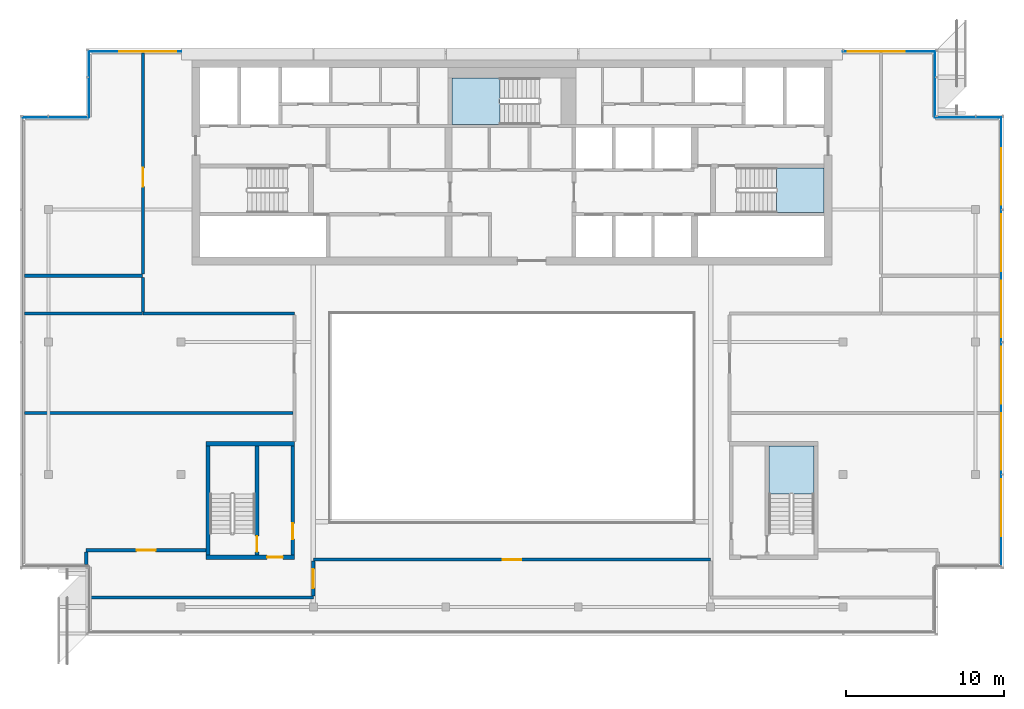
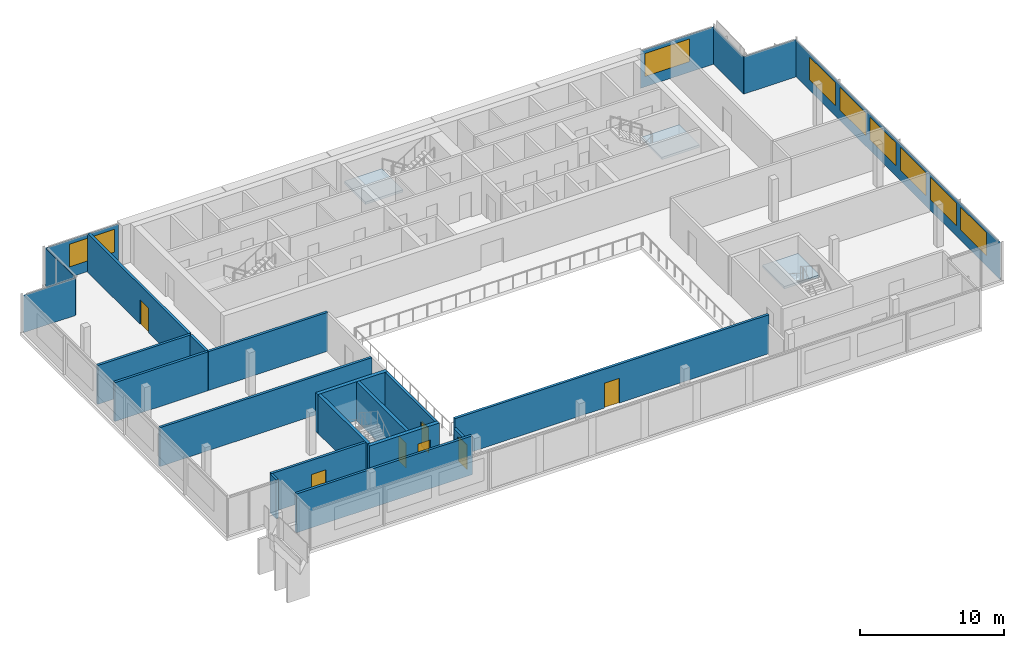
# One storey, part 11 of 19: 16 walls, 8 windows, 7 doors, 7 plates, 3 slabs, 15 openings, 9 elements without a shape of their own.
"""IFC4 building model written with IfcOpenShell, lengths in metres."""

from ifc_helpers import new_model, si_unit, direction, frame, frame_2d, origin, place, context, subcontext, project, spatial, polyline, rectangle, outline, extrude, material, layer, layer_set, type_object, element, fill, aggregate, save


model = new_model("IFC4")

# Units and contexts
model_context = context("Model", 3, precision=1e-05, world=origin(), true_north=direction((0.0, 1.0)))
body_context = subcontext(model_context, "Body", "Model", "MODEL_VIEW")
ifc_project = project(units=[si_unit("LENGTHUNIT", "METRE"), si_unit("AREAUNIT", "SQUARE_METRE"), si_unit("VOLUMEUNIT", "CUBIC_METRE"), si_unit("PLANEANGLEUNIT", "RADIAN"), si_unit("MASSUNIT", "GRAM", prefix="KILO")], contexts=[model_context])

# Site, building, storey
site_placement = place(None, origin())
site = spatial("IfcSite", under=ifc_project, at=site_placement, CompositionType="ELEMENT")
building_placement = place(site_placement, origin())
building = spatial("IfcBuilding", under=site, at=building_placement, Name="Saffron Gate Tower", CompositionType="ELEMENT")
storey_placement = place(building_placement, frame((0.0, 0.0, 306.75)))
storey = spatial("IfcBuildingStorey", under=building, at=storey_placement, Name="L75", CompositionType="ELEMENT", Elevation=306.75)

# Curtain wall, plate, openings, windows
ifc_material_1 = material(Name="Aluminium, bronze anodised", Category="aluminium")
curtain_wall_type_1 = type_object("IfcCurtainWallType", Name="CWS2 curtain wall side facades", PredefinedType="NOTDEFINED", material=ifc_material_1)
curtain_wall_1_placement = place(storey_placement, origin())
curtain_wall_1 = element("IfcCurtainWall", 1, at=curtain_wall_1_placement, inside=storey, type_object=curtain_wall_type_1, Name="CWS2 run 4", PredefinedType="NOTDEFINED")
ifc_material_2 = material(Name="Fritted bronze-tinted laminated glass", Category="glass")
ifc_layer_1 = layer(ifc_material_2, 0.028076171875)
ifc_layer_set_1 = layer_set([ifc_layer_1], Name="CWS2 fixed glass")
plate_type_1 = type_object("IfcPlateType", Name="CWS2 fixed glass", PredefinedType="CURTAIN_PANEL", material=ifc_layer_set_1)
plate_1_placement = place(storey_placement, frame((118.6259765625, 42.7880859375, 0.0), z_axis=(0.0, 0.0, 1.0), x_axis=(0.0, 1.0, 0.0)))
plate_1 = element("IfcPlate", 2, at=plate_1_placement, type_object=plate_type_1, Name="CWS2 glass panel", PredefinedType="CURTAIN_PANEL", context=body_context, shape_type="SweptSolid", body=[
    extrude(rectangle(XDim=28.423828125, YDim=0.028076171875, at=frame_2d((14.2119140625, 0.0))), origin(), (0.0, 0.0, 1.0), 3.179931640625),
])
opening_1_placement = place(plate_1_placement, frame((1.912109375, 0.0, 0.89990234375)))
opening_1 = element("IfcOpeningElement", 3, at=opening_1_placement, cuts=plate_1, Name="Opening W2", PredefinedType="OPENING", context=body_context, shape_type="SweptSolid", body=[
    extrude(rectangle(XDim=3.60009765625, YDim=1.929931640625, at=frame_2d((1.800048828125, 0.96484375))), frame((0.0, 0.02392578125, 0.0), z_axis=(0.0, -1.0, 0.0), x_axis=(1.0, 0.0, 0.0)), (0.0, 0.0, 1.0), 0.048095703125),
])
opening_2_placement = place(plate_1_placement, frame((6.112060546875, 0.0, 0.89990234375)))
opening_2 = element("IfcOpeningElement", 4, at=opening_2_placement, cuts=plate_1, Name="Opening W2", PredefinedType="OPENING", context=body_context, shape_type="SweptSolid", body=[
    extrude(rectangle(XDim=3.60009765625, YDim=1.929931640625, at=frame_2d((1.800048828125, 0.96484375))), frame((0.0, 0.02392578125, 0.0), z_axis=(0.0, -1.0, 0.0), x_axis=(1.0, 0.0, 0.0)), (0.0, 0.0, 1.0), 0.048095703125),
])
opening_3_placement = place(plate_1_placement, frame((10.31201171875, 0.0, 0.89990234375)))
opening_3 = element("IfcOpeningElement", 5, at=opening_3_placement, cuts=plate_1, Name="Opening W2", PredefinedType="OPENING", context=body_context, shape_type="SweptSolid", body=[
    extrude(rectangle(XDim=3.60009765625, YDim=1.929931640625, at=frame_2d((1.800048828125, 0.96484375))), frame((0.0, 0.02392578125, 0.0), z_axis=(0.0, -1.0, 0.0), x_axis=(1.0, 0.0, 0.0)), (0.0, 0.0, 1.0), 0.048095703125),
])
opening_4_placement = place(plate_1_placement, frame((14.511962890625, 0.0, 0.89990234375)))
opening_4 = element("IfcOpeningElement", 6, at=opening_4_placement, cuts=plate_1, Name="Opening W2", PredefinedType="OPENING", context=body_context, shape_type="SweptSolid", body=[
    extrude(rectangle(XDim=3.60009765625, YDim=1.929931640625, at=frame_2d((1.800048828125, 0.96484375))), frame((0.0, 0.02392578125, 0.0), z_axis=(0.0, -1.0, 0.0), x_axis=(1.0, 0.0, 0.0)), (0.0, 0.0, 1.0), 0.048095703125),
])
opening_5_placement = place(plate_1_placement, frame((18.7119140625, 0.0, 0.89990234375)))
opening_5 = element("IfcOpeningElement", 7, at=opening_5_placement, cuts=plate_1, Name="Opening W2", PredefinedType="OPENING", context=body_context, shape_type="SweptSolid", body=[
    extrude(rectangle(XDim=3.60009765625, YDim=1.929931640625, at=frame_2d((1.800048828125, 0.96484375))), frame((0.0, 0.02392578125, 0.0), z_axis=(0.0, -1.0, 0.0), x_axis=(1.0, 0.0, 0.0)), (0.0, 0.0, 1.0), 0.048095703125),
])
opening_6_placement = place(plate_1_placement, frame((22.912109375, 0.0, 0.89990234375)))
opening_6 = element("IfcOpeningElement", 8, at=opening_6_placement, cuts=plate_1, Name="Opening W2", PredefinedType="OPENING", context=body_context, shape_type="SweptSolid", body=[
    extrude(rectangle(XDim=3.60009765625, YDim=1.929931640625, at=frame_2d((1.800048828125, 0.96484375))), frame((0.0, 0.02392578125, 0.0), z_axis=(0.0, -1.0, 0.0), x_axis=(1.0, 0.0, 0.0)), (0.0, 0.0, 1.0), 0.048095703125),
])
ifc_material_3 = material(Name="Fritted bronze-tinted laminated glass in bronze frame", Category="glass")
ifc_layer_2 = layer(ifc_material_3, 0.06005859375)
ifc_layer_set_2 = layer_set([ifc_layer_2], Name="W2 operable panel 3600x1930")
window_type = type_object("IfcWindowType", Name="W2 operable panel 3600x1930", PartitioningType="DOUBLE_PANEL_HORIZONTAL", PredefinedType="WINDOW", material=ifc_layer_set_2)
window_1_placement = place(opening_1_placement, origin())
window_1 = element("IfcWindow", 9, at=window_1_placement, type_object=window_type, Name="W2 operable panel", OverallHeight=1.929931640625, OverallWidth=3.60009765625, PartitioningType="SINGLE_PANEL", PredefinedType="WINDOW", context=body_context, shape_type="SweptSolid", body=[
    extrude(rectangle(XDim=3.60009765625, YDim=1.929931640625, at=frame_2d((1.800048828125, 0.96484375))), frame((0.0, 0.013671875, 0.0), z_axis=(0.0, -1.0, 0.0), x_axis=(1.0, 0.0, 0.0)), (0.0, 0.0, 1.0), 0.027587890625),
])
fill(opening_1, window_1)
window_2_placement = place(opening_2_placement, origin())
window_2 = element("IfcWindow", 10, at=window_2_placement, type_object=window_type, Name="W2 operable panel", OverallHeight=1.929931640625, OverallWidth=3.60009765625, PartitioningType="SINGLE_PANEL", PredefinedType="WINDOW", context=body_context, shape_type="SweptSolid", body=[
    extrude(rectangle(XDim=3.60009765625, YDim=1.929931640625, at=frame_2d((1.800048828125, 0.96484375))), frame((0.0, 0.013671875, 0.0), z_axis=(0.0, -1.0, 0.0), x_axis=(1.0, 0.0, 0.0)), (0.0, 0.0, 1.0), 0.027587890625),
])
fill(opening_2, window_2)
window_3_placement = place(opening_3_placement, origin())
window_3 = element("IfcWindow", 11, at=window_3_placement, type_object=window_type, Name="W2 operable panel", OverallHeight=1.929931640625, OverallWidth=3.60009765625, PartitioningType="SINGLE_PANEL", PredefinedType="WINDOW", context=body_context, shape_type="SweptSolid", body=[
    extrude(rectangle(XDim=3.60009765625, YDim=1.929931640625, at=frame_2d((1.800048828125, 0.96484375))), frame((0.0, 0.013671875, 0.0), z_axis=(0.0, -1.0, 0.0), x_axis=(1.0, 0.0, 0.0)), (0.0, 0.0, 1.0), 0.027587890625),
])
fill(opening_3, window_3)
window_4_placement = place(opening_4_placement, origin())
window_4 = element("IfcWindow", 12, at=window_4_placement, type_object=window_type, Name="W2 operable panel", OverallHeight=1.929931640625, OverallWidth=3.60009765625, PartitioningType="SINGLE_PANEL", PredefinedType="WINDOW", context=body_context, shape_type="SweptSolid", body=[
    extrude(rectangle(XDim=3.60009765625, YDim=1.929931640625, at=frame_2d((1.800048828125, 0.96484375))), frame((0.0, 0.013671875, 0.0), z_axis=(0.0, -1.0, 0.0), x_axis=(1.0, 0.0, 0.0)), (0.0, 0.0, 1.0), 0.027587890625),
])
fill(opening_4, window_4)
window_5_placement = place(opening_5_placement, origin())
window_5 = element("IfcWindow", 13, at=window_5_placement, type_object=window_type, Name="W2 operable panel", OverallHeight=1.929931640625, OverallWidth=3.60009765625, PartitioningType="SINGLE_PANEL", PredefinedType="WINDOW", context=body_context, shape_type="SweptSolid", body=[
    extrude(rectangle(XDim=3.60009765625, YDim=1.929931640625, at=frame_2d((1.800048828125, 0.96484375))), frame((0.0, 0.013671875, 0.0), z_axis=(0.0, -1.0, 0.0), x_axis=(1.0, 0.0, 0.0)), (0.0, 0.0, 1.0), 0.027587890625),
])
fill(opening_5, window_5)
window_6_placement = place(opening_6_placement, origin())
window_6 = element("IfcWindow", 14, at=window_6_placement, type_object=window_type, Name="W2 operable panel", OverallHeight=1.929931640625, OverallWidth=3.60009765625, PartitioningType="SINGLE_PANEL", PredefinedType="WINDOW", context=body_context, shape_type="SweptSolid", body=[
    extrude(rectangle(XDim=3.60009765625, YDim=1.929931640625, at=frame_2d((1.800048828125, 0.96484375))), frame((0.0, 0.013671875, 0.0), z_axis=(0.0, -1.0, 0.0), x_axis=(1.0, 0.0, 0.0)), (0.0, 0.0, 1.0), 0.027587890625),
])
fill(opening_6, window_6)
aggregate(curtain_wall_1, [plate_1, window_1, window_2, window_3, window_4, window_5, window_6])

# Curtain wall, plates, openings, windows
curtain_wall_type_2 = type_object("IfcCurtainWallType", Name="CWS3 curtain wall rear facade", PredefinedType="NOTDEFINED", material=ifc_material_1)
curtain_wall_2_placement = place(storey_placement, origin())
curtain_wall_2 = element("IfcCurtainWall", 15, at=curtain_wall_2_placement, inside=storey, type_object=curtain_wall_type_2, Name="CWS3 run 7", PredefinedType="NOTDEFINED")
ifc_material_4 = material(Name="Fritted grey-tinted laminated glass", Category="glass")
ifc_layer_3 = layer(ifc_material_4, 0.028076171875)
ifc_layer_set_3 = layer_set([ifc_layer_3], Name="CWS3 fixed glass")
plate_type_2 = type_object("IfcPlateType", Name="CWS3 fixed glass", PredefinedType="CURTAIN_PANEL", material=ifc_layer_set_3)
plate_2_placement = place(storey_placement, frame((114.412109375, 75.426025390625, 0.0), z_axis=(0.0, 0.0, 1.0), x_axis=(-1.0, 0.0, 0.0)))
plate_2 = element("IfcPlate", 16, at=plate_2_placement, type_object=plate_type_2, Name="CWS3 glass panel", PredefinedType="CURTAIN_PANEL", context=body_context, shape_type="SweptSolid", body=[
    extrude(rectangle(XDim=5.84716796875, YDim=0.028076171875, at=frame_2d((2.923583984375, 0.0))), origin(), (0.0, 0.0, 1.0), 3.179931640625),
])
opening_7_placement = place(plate_2_placement, frame((1.912109375, 0.0, 0.89990234375)))
opening_7 = element("IfcOpeningElement", 17, at=opening_7_placement, cuts=plate_2, Name="Opening W2", PredefinedType="OPENING", context=body_context, shape_type="SweptSolid", body=[
    extrude(rectangle(XDim=3.60009765625, YDim=1.929931640625, at=frame_2d((1.800048828125, 0.96484375))), frame((0.0, 0.02392578125, 0.0), z_axis=(0.0, -1.0, 0.0), x_axis=(1.0, 0.0, 0.0)), (0.0, 0.0, 1.0), 0.048095703125),
])
window_7_placement = place(opening_7_placement, origin())
window_7 = element("IfcWindow", 18, at=window_7_placement, type_object=window_type, Name="W2 operable panel", OverallHeight=1.929931640625, OverallWidth=3.60009765625, PartitioningType="SINGLE_PANEL", PredefinedType="WINDOW", context=body_context, shape_type="SweptSolid", body=[
    extrude(rectangle(XDim=3.60009765625, YDim=1.929931640625, at=frame_2d((1.800048828125, 0.96484375))), frame((0.0, 0.013671875, 0.0), z_axis=(0.0, -1.0, 0.0), x_axis=(1.0, 0.0, 0.0)), (0.0, 0.0, 1.0), 0.027587890625),
])
fill(opening_7, window_7)
plate_3_placement = place(storey_placement, frame((66.635009765625, 75.426025390625, 0.0), z_axis=(0.0, 0.0, 1.0), x_axis=(-1.0, 0.0, 0.0)))
plate_3 = element("IfcPlate", 19, at=plate_3_placement, type_object=plate_type_2, Name="CWS3 glass panel", PredefinedType="CURTAIN_PANEL", context=body_context, shape_type="SweptSolid", body=[
    extrude(rectangle(XDim=5.846923828125, YDim=0.028076171875, at=frame_2d((2.92333984375, 0.0))), origin(), (0.0, 0.0, 1.0), 3.179931640625),
])
opening_8_placement = place(plate_3_placement, frame((0.3349609375, 0.0, 0.89990234375)))
opening_8 = element("IfcOpeningElement", 20, at=opening_8_placement, cuts=plate_3, Name="Opening W2", PredefinedType="OPENING", context=body_context, shape_type="SweptSolid", body=[
    extrude(rectangle(XDim=3.60009765625, YDim=1.929931640625, at=frame_2d((1.800048828125, 0.96484375))), frame((0.0, 0.02392578125, 0.0), z_axis=(0.0, -1.0, 0.0), x_axis=(1.0, 0.0, 0.0)), (0.0, 0.0, 1.0), 0.048095703125),
])
window_8_placement = place(opening_8_placement, origin())
window_8 = element("IfcWindow", 21, at=window_8_placement, type_object=window_type, Name="W2 operable panel", OverallHeight=1.929931640625, OverallWidth=3.60009765625, PartitioningType="SINGLE_PANEL", PredefinedType="WINDOW", context=body_context, shape_type="SweptSolid", body=[
    extrude(rectangle(XDim=3.60009765625, YDim=1.929931640625, at=frame_2d((1.800048828125, 0.96484375))), frame((0.0, 0.013671875, 0.0), z_axis=(0.0, -1.0, 0.0), x_axis=(1.0, 0.0, 0.0)), (0.0, 0.0, 1.0), 0.027587890625),
])
fill(opening_8, window_8)
aggregate(curtain_wall_2, [plate_2, plate_3, window_7, window_8])

# Curtain wall, plate
curtain_wall_type_3 = type_object("IfcCurtainWallType", Name="CWS4 curtain wall corner returns", PredefinedType="NOTDEFINED", material=ifc_material_1)
curtain_wall_3_placement = place(storey_placement, origin())
curtain_wall_3 = element("IfcCurtainWall", 22, at=curtain_wall_3_placement, inside=storey, type_object=curtain_wall_type_3, Name="CWS4 run 5", PredefinedType="NOTDEFINED")
ifc_layer_4 = layer(ifc_material_2, 0.028076171875)
ifc_layer_set_4 = layer_set([ifc_layer_4], Name="CWS4 fixed glass")
plate_type_3 = type_object("IfcPlateType", Name="CWS4 fixed glass", PredefinedType="CURTAIN_PANEL", material=ifc_layer_set_4)
plate_4_placement = place(storey_placement, frame((118.612060546875, 71.22607421875, 0.0), z_axis=(0.0, 0.0, 1.0), x_axis=(-1.0, 0.0, 0.0)))
plate_4 = element("IfcPlate", 23, at=plate_4_placement, type_object=plate_type_3, Name="CWS4 glass panel", PredefinedType="CURTAIN_PANEL", context=body_context, shape_type="SweptSolid", body=[
    extrude(rectangle(XDim=4.172119140625, YDim=0.028076171875, at=frame_2d((2.0859375, 0.0))), origin(), (0.0, 0.0, 1.0), 3.179931640625),
])
aggregate(curtain_wall_3, [plate_4])

curtain_wall_4_placement = place(storey_placement, origin())
curtain_wall_4 = element("IfcCurtainWall", 24, at=curtain_wall_4_placement, inside=storey, type_object=curtain_wall_type_3, Name="CWS4 run 6", PredefinedType="NOTDEFINED")
plate_5_placement = place(storey_placement, frame((114.426025390625, 71.239990234375, 0.0), z_axis=(0.0, 0.0, 1.0), x_axis=(0.0, 1.0, 0.0)))
plate_5 = element("IfcPlate", 25, at=plate_5_placement, type_object=plate_type_3, Name="CWS4 glass panel", PredefinedType="CURTAIN_PANEL", context=body_context, shape_type="SweptSolid", body=[
    extrude(rectangle(XDim=4.172119140625, YDim=0.028076171875, at=frame_2d((2.0859375, 0.0))), origin(), (0.0, 0.0, 1.0), 3.179931640625),
])
aggregate(curtain_wall_4, [plate_5])

curtain_wall_5_placement = place(storey_placement, origin())
curtain_wall_5 = element("IfcCurtainWall", 26, at=curtain_wall_5_placement, inside=storey, type_object=curtain_wall_type_3, Name="CWS4 run 8", PredefinedType="NOTDEFINED")
plate_6_placement = place(storey_placement, frame((60.77392578125, 75.412109375, 0.0), z_axis=(0.0, 0.0, 1.0), x_axis=(0.0, -1.0, 0.0)))
plate_6 = element("IfcPlate", 27, at=plate_6_placement, type_object=plate_type_3, Name="CWS4 glass panel", PredefinedType="CURTAIN_PANEL", context=body_context, shape_type="SweptSolid", body=[
    extrude(rectangle(XDim=4.172119140625, YDim=0.028076171875, at=frame_2d((2.0859375, 0.0))), origin(), (0.0, 0.0, 1.0), 3.179931640625),
])
aggregate(curtain_wall_5, [plate_6])

curtain_wall_6_placement = place(storey_placement, origin())
curtain_wall_6 = element("IfcCurtainWall", 28, at=curtain_wall_6_placement, inside=storey, type_object=curtain_wall_type_3, Name="CWS4 run 9", PredefinedType="NOTDEFINED")
plate_7_placement = place(storey_placement, frame((60.760009765625, 71.22607421875, 0.0), z_axis=(0.0, 0.0, 1.0), x_axis=(-1.0, 0.0, 0.0)))
plate_7 = element("IfcPlate", 29, at=plate_7_placement, type_object=plate_type_3, Name="CWS4 glass panel", PredefinedType="CURTAIN_PANEL", context=body_context, shape_type="SweptSolid", body=[
    extrude(rectangle(XDim=4.172119140625, YDim=0.028076171875, at=frame_2d((2.0859375, 0.0))), origin(), (0.0, 0.0, 1.0), 3.179931640625),
])
aggregate(curtain_wall_6, [plate_7])

# Stair, slab
ifc_material_5 = material(Name="Concrete C40", Category="concrete")
stair_type = type_object("IfcStairType", Name="ST7 Stair 1350 wide, 20 risers of 180", PredefinedType="HALF_TURN_STAIR", material=ifc_material_5)
stair_1_placement = place(storey_placement, origin())
stair_1 = element("IfcStair", 30, at=stair_1_placement, inside=storey, type_object=stair_type, Name="L75 Exit stair B", PredefinedType="HALF_TURN_STAIR")
ifc_layer_5 = layer(ifc_material_5, 0.199951171875)
ifc_layer_set_5 = layer_set([ifc_layer_5], Name="SL1 Stair landing 200")
slab_type = type_object("IfcSlabType", Name="SL1 Stair landing 200", PredefinedType="LANDING", material=ifc_layer_set_5)
slab_1_placement = place(storey_placement, frame((0.0, 0.0, 1.60009765625)))
slab_1 = element("IfcSlab", 31, at=slab_1_placement, type_object=slab_type, Name="ST-B landing 1", PredefinedType="LANDING", context=body_context, shape_type="SweptSolid", body=[
    extrude(outline(polyline([(104.3701171875, 65.199951171875), (107.39990234375, 65.199951171875), (107.39990234375, 68.050048828125), (104.3701171875, 68.050048828125), (104.3701171875, 65.199951171875)])), origin(), (0.0, 0.0, 1.0), 0.199951171875),
])
aggregate(stair_1, [slab_1])

stair_2_placement = place(storey_placement, origin())
stair_2 = element("IfcStair", 32, at=stair_2_placement, inside=storey, type_object=stair_type, Name="L75 Exit stair C", PredefinedType="HALF_TURN_STAIR")
slab_2_placement = place(storey_placement, frame((0.0, 0.0, 1.60009765625)))
slab_2 = element("IfcSlab", 33, at=slab_2_placement, type_object=slab_type, Name="ST-C landing 1", PredefinedType="LANDING", context=body_context, shape_type="SweptSolid", body=[
    extrude(outline(polyline([(86.830078125, 73.75), (83.800048828125, 73.75), (83.800048828125, 70.800048828125), (86.830078125, 70.800048828125), (86.830078125, 73.75)])), origin(), (0.0, 0.0, 1.0), 0.199951171875),
])
aggregate(stair_2, [slab_2])

stair_3_placement = place(storey_placement, origin())
stair_3 = element("IfcStair", 34, at=stair_3_placement, inside=storey, type_object=stair_type, Name="L75 Exit stair E", PredefinedType="HALF_TURN_STAIR")
slab_3_placement = place(storey_placement, frame((0.0, 0.0, 1.60009765625)))
slab_3 = element("IfcSlab", 35, at=slab_3_placement, type_object=slab_type, Name="ST-E landing 1", PredefinedType="LANDING", context=body_context, shape_type="SweptSolid", body=[
    extrude(outline(polyline([(106.75, 47.3701171875), (106.75, 50.39990234375), (103.89990234375, 50.39990234375), (103.89990234375, 47.3701171875), (106.75, 47.3701171875)])), origin(), (0.0, 0.0, 1.0), 0.199951171875),
])
aggregate(stair_3, [slab_3])

# Wall, opening, door
ifc_material_6 = material(Name="Gypsum board partition on steel studs", Category="steel")
ifc_layer_6 = layer(ifc_material_6, 0.199951171875)
ifc_layer_set_6 = layer_set([ifc_layer_6], Name="CW10 Core partition 200")
wall_type_1 = type_object("IfcWallType", Name="CW10 Core partition 200", PredefinedType="PARTITIONING", material=ifc_layer_set_6)
wall_1_placement = place(storey_placement, frame((73.699951171875, 43.5, 0.0), z_axis=(0.0, 0.0, 1.0), x_axis=(0.0, 1.0, 0.0)))
wall_1 = element("IfcWall", 36, at=wall_1_placement, inside=storey, type_object=wall_type_1, Name="Wall CW10-L75-D-4", PredefinedType="PARTITIONING", context=body_context, shape_type="SweptSolid", body=[
    extrude(rectangle(XDim=6.89990234375, YDim=0.199951171875, at=frame_2d((3.449951171875, 0.0))), origin(), (0.0, 0.0, 1.0), 3.300048828125),
])
opening_9_placement = place(wall_1_placement, frame((1.0, 0.0, 0.0)))
opening_9 = element("IfcOpeningElement", 37, at=opening_9_placement, cuts=wall_1, Name="Opening CR-19", PredefinedType="OPENING", context=body_context, shape_type="SweptSolid", body=[
    extrude(rectangle(XDim=1.0, YDim=2.10009765625, at=frame_2d((0.5, 1.050048828125))), frame((0.0, 0.10986328125, 0.0), z_axis=(0.0, -1.0, 0.0), x_axis=(1.0, 0.0, 0.0)), (0.0, 0.0, 1.0), 0.219970703125),
])
ifc_material_7 = material(Name="Steel fire door set", Category="steel")
door_type_1 = type_object("IfcDoorType", Name="CD4 Lobby door 1000x2100 EI 120", OperationType="NOTDEFINED", PredefinedType="DOOR", material=ifc_material_7)
door_1_placement = place(opening_9_placement, origin())
door_1 = element("IfcDoor", 38, at=door_1_placement, inside=storey, type_object=door_type_1, Name="DOOR CR-19", OperationType="SINGLE_SWING_RIGHT", OverallHeight=2.10009765625, OverallWidth=1.0, PredefinedType="DOOR", context=body_context, shape_type="SweptSolid", body=[
    extrude(rectangle(XDim=1.0, YDim=2.10009765625, at=frame_2d((0.5, 1.050048828125))), frame((0.0, 0.02490234375, 0.0), z_axis=(0.0, -1.0, 0.0), x_axis=(1.0, 0.0, 0.0)), (0.0, 0.0, 1.0), 0.050048828125),
])
fill(opening_9, door_1)

# Wall
ifc_material_8 = material(Name="Concrete C50", Category="concrete")
ifc_layer_7 = layer(ifc_material_8, 0.25)
ifc_layer_set_7 = layer_set([ifc_layer_7], Name="CW23 RC core wall 250 C50")
wall_type_2 = type_object("IfcWallType", Name="CW23 RC core wall 250 C50", PredefinedType="SOLIDWALL", material=ifc_layer_set_7)
wall_2_placement = place(storey_placement, frame((68.324951171875, 43.5, 0.0), z_axis=(0.0, 0.0, 1.0), x_axis=(0.0, 1.0, 0.0)))
element("IfcWall", 39, at=wall_2_placement, inside=storey, type_object=wall_type_2, Name="Wall CW23-L75-D-2", PredefinedType="SOLIDWALL", context=body_context, shape_type="SweptSolid", body=[
    extrude(rectangle(XDim=6.89990234375, YDim=0.25, at=frame_2d((3.449951171875, 0.0))), origin(), (0.0, 0.0, 1.0), 3.300048828125),
])

# Wall, opening, door
wall_3_placement = place(storey_placement, frame((71.425048828125, 43.5, 0.0), z_axis=(0.0, 0.0, 1.0), x_axis=(0.0, 1.0, 0.0)))
wall_3 = element("IfcWall", 40, at=wall_3_placement, inside=storey, type_object=wall_type_2, Name="Wall CW23-L75-D-3", PredefinedType="SOLIDWALL", context=body_context, shape_type="SweptSolid", body=[
    extrude(rectangle(XDim=6.89990234375, YDim=0.25, at=frame_2d((3.449951171875, 0.0))), origin(), (0.0, 0.0, 1.0), 3.300048828125),
])
opening_10_placement = place(wall_3_placement, frame((0.199951171875, 0.0, 0.0)))
opening_10 = element("IfcOpeningElement", 41, at=opening_10_placement, cuts=wall_3, Name="Opening CR-20", PredefinedType="OPENING", context=body_context, shape_type="SweptSolid", body=[
    extrude(rectangle(XDim=1.0, YDim=2.10009765625, at=frame_2d((0.5, 1.050048828125))), frame((0.0, 0.135009765625, 0.0), z_axis=(0.0, -1.0, 0.0), x_axis=(1.0, 0.0, 0.0)), (0.0, 0.0, 1.0), 0.27001953125),
])
door_type_2 = type_object("IfcDoorType", Name="CD5 Stair door 1000x2100 EI 120", OperationType="NOTDEFINED", PredefinedType="DOOR", material=ifc_material_7)
door_2_placement = place(opening_10_placement, origin())
door_2 = element("IfcDoor", 42, at=door_2_placement, inside=storey, type_object=door_type_2, Name="DOOR CR-20", OperationType="SINGLE_SWING_LEFT", OverallHeight=2.10009765625, OverallWidth=1.0, PredefinedType="DOOR", context=body_context, shape_type="SweptSolid", body=[
    extrude(rectangle(XDim=1.0, YDim=2.10009765625, at=frame_2d((0.5, 1.050048828125))), frame((0.0, 0.02490234375, 0.0), z_axis=(0.0, -1.0, 0.0), x_axis=(1.0, 0.0, 0.0)), (0.0, 0.0, 1.0), 0.050048828125),
])
fill(opening_10, door_2)

ifc_layer_8 = layer(ifc_material_8, 0.300048828125)
ifc_layer_set_8 = layer_set([ifc_layer_8], Name="CW26 RC core wall 300 C50")
wall_type_3 = type_object("IfcWallType", Name="CW26 RC core wall 300 C50", PredefinedType="SOLIDWALL", material=ifc_layer_set_8)
wall_4_placement = place(storey_placement, frame((68.199951171875, 43.35009765625, 0.0), z_axis=(0.0, 0.0, 1.0), x_axis=(1.0, 0.0, 0.0)))
wall_4 = element("IfcWall", 43, at=wall_4_placement, inside=storey, type_object=wall_type_3, Name="Wall CW26-L75-D-1", PredefinedType="SOLIDWALL", context=body_context, shape_type="SweptSolid", body=[
    extrude(rectangle(XDim=5.60009765625, YDim=0.300048828125, at=frame_2d((2.800048828125, 0.0))), origin(), (0.0, 0.0, 1.0), 3.300048828125),
])
opening_11_placement = place(wall_4_placement, frame((3.875, 0.0, 0.0)))
opening_11 = element("IfcOpeningElement", 44, at=opening_11_placement, cuts=wall_4, Name="Opening CR-18", PredefinedType="OPENING", context=body_context, shape_type="SweptSolid", body=[
    extrude(rectangle(XDim=1.0, YDim=2.10009765625, at=frame_2d((0.5, 1.050048828125))), frame((0.0, 0.16015625, 0.0), z_axis=(0.0, -1.0, 0.0), x_axis=(1.0, 0.0, 0.0)), (0.0, 0.0, 1.0), 0.320068359375),
])
door_3_placement = place(opening_11_placement, origin())
door_3 = element("IfcDoor", 45, at=door_3_placement, inside=storey, type_object=door_type_1, Name="DOOR CR-18", OperationType="SINGLE_SWING_RIGHT", OverallHeight=2.10009765625, OverallWidth=1.0, PredefinedType="DOOR", context=body_context, shape_type="SweptSolid", body=[
    extrude(rectangle(XDim=1.0, YDim=2.10009765625, at=frame_2d((0.5, 1.050048828125))), frame((0.0, 0.02490234375, 0.0), z_axis=(0.0, -1.0, 0.0), x_axis=(1.0, 0.0, 0.0)), (0.0, 0.0, 1.0), 0.050048828125),
])
fill(opening_11, door_3)

# Walls
wall_5_placement = place(storey_placement, frame((68.199951171875, 50.550048828125, 0.0), z_axis=(0.0, 0.0, 1.0), x_axis=(1.0, 0.0, 0.0)))
element("IfcWall", 46, at=wall_5_placement, inside=storey, type_object=wall_type_3, Name="Wall CW26-L75-D-5", PredefinedType="SOLIDWALL", context=body_context, shape_type="SweptSolid", body=[
    extrude(rectangle(XDim=5.60009765625, YDim=0.300048828125, at=frame_2d((2.800048828125, 0.0))), origin(), (0.0, 0.0, 1.0), 3.300048828125),
])
ifc_material_9 = material(Name="Clay brick masonry, rendered", Category="masonry")
ifc_layer_9 = layer(ifc_material_9, 0.199951171875)
ifc_layer_set_9 = layer_set([ifc_layer_9], Name="PW3 Corridor wall 200")
wall_type_4 = type_object("IfcWallType", Name="PW3 Corridor wall 200", PredefinedType="PARTITIONING", material=ifc_layer_set_9)
wall_6_placement = place(storey_placement, frame((60.8798828125, 40.800048828125, 0.0), z_axis=(0.0, 0.0, 1.0), x_axis=(1.0, 0.0, 0.0)))
element("IfcWall", 47, at=wall_6_placement, inside=storey, type_object=wall_type_4, Name="Wall E6-1", PredefinedType="PARTITIONING", context=body_context, shape_type="SweptSolid", body=[
    extrude(rectangle(XDim=14.1201171875, YDim=0.199951171875, at=frame_2d((7.06005859375, 0.0))), origin(), (0.0, 0.0, 1.0), 3.300048828125),
])

# Wall, opening, door
wall_7_placement = place(storey_placement, frame((100.199951171875, 43.199951171875, 0.0), z_axis=(0.0, 0.0, 1.0), x_axis=(-1.0, 0.0, 0.0)))
wall_7 = element("IfcWall", 48, at=wall_7_placement, inside=storey, type_object=wall_type_4, Name="Wall E6-3", PredefinedType="PARTITIONING", context=body_context, shape_type="SweptSolid", body=[
    extrude(rectangle(XDim=25.199951171875, YDim=0.199951171875, at=frame_2d((12.60009765625, 0.0))), origin(), (0.0, 0.0, 1.0), 3.300048828125),
])
opening_12_placement = place(wall_7_placement, frame((12.0, 0.0, 0.0)))
opening_12 = element("IfcOpeningElement", 49, at=opening_12_placement, cuts=wall_7, Name="Opening E6-4", PredefinedType="OPENING", context=body_context, shape_type="SweptSolid", body=[
    extrude(rectangle(XDim=1.199951171875, YDim=2.10009765625, at=frame_2d((0.60009765625, 1.050048828125))), frame((0.0, 0.10986328125, 0.0), z_axis=(0.0, -1.0, 0.0), x_axis=(1.0, 0.0, 0.0)), (0.0, 0.0, 1.0), 0.219970703125),
])
ifc_material_10 = material(Name="Timber door set", Category="wood")
door_type_3 = type_object("IfcDoorType", Name="HD1 Hall door 1200x2100", OperationType="NOTDEFINED", PredefinedType="DOOR", material=ifc_material_10)
door_4_placement = place(opening_12_placement, origin())
door_4 = element("IfcDoor", 50, at=door_4_placement, inside=storey, type_object=door_type_3, Name="Door E6-4", OperationType="SINGLE_SWING_RIGHT", OverallHeight=2.10009765625, OverallWidth=1.199951171875, PredefinedType="DOOR", context=body_context, shape_type="SweptSolid", body=[
    extrude(rectangle(XDim=1.199951171875, YDim=2.10009765625, at=frame_2d((0.60009765625, 1.050048828125))), frame((0.0, 0.02490234375, 0.0), z_axis=(0.0, -1.0, 0.0), x_axis=(1.0, 0.0, 0.0)), (0.0, 0.0, 1.0), 0.050048828125),
])
fill(opening_12, door_4)

wall_8_placement = place(storey_placement, frame((60.60009765625, 43.800048828125, 0.0), z_axis=(0.0, 0.0, 1.0), x_axis=(1.0, 0.0, 0.0)))
wall_8 = element("IfcWall", 51, at=wall_8_placement, inside=storey, type_object=wall_type_4, Name="Wall E6-4", PredefinedType="PARTITIONING", context=body_context, shape_type="SweptSolid", body=[
    extrude(rectangle(XDim=7.599853515625, YDim=0.199951171875, at=frame_2d((3.7998046875, 0.0))), origin(), (0.0, 0.0, 1.0), 3.300048828125),
])
opening_13_placement = place(wall_8_placement, frame((3.199951171875, 0.0, 0.0)))
opening_13 = element("IfcOpeningElement", 52, at=opening_13_placement, cuts=wall_8, Name="Opening E6-7", PredefinedType="OPENING", context=body_context, shape_type="SweptSolid", body=[
    extrude(rectangle(XDim=1.199951171875, YDim=2.10009765625, at=frame_2d((0.60009765625, 1.050048828125))), frame((0.0, 0.10986328125, 0.0), z_axis=(0.0, -1.0, 0.0), x_axis=(1.0, 0.0, 0.0)), (0.0, 0.0, 1.0), 0.219970703125),
])
door_5_placement = place(opening_13_placement, origin())
door_5 = element("IfcDoor", 53, at=door_5_placement, inside=storey, type_object=door_type_3, Name="Door E6-7", OperationType="SINGLE_SWING_LEFT", OverallHeight=2.10009765625, OverallWidth=1.199951171875, PredefinedType="DOOR", context=body_context, shape_type="SweptSolid", body=[
    extrude(rectangle(XDim=1.199951171875, YDim=2.10009765625, at=frame_2d((0.60009765625, 1.050048828125))), frame((0.0, 0.02490234375, 0.0), z_axis=(0.0, -1.0, 0.0), x_axis=(1.0, 0.0, 0.0)), (0.0, 0.0, 1.0), 0.050048828125),
])
fill(opening_13, door_5)

# Walls
wall_9_placement = place(storey_placement, frame((64.199951171875, 58.800048828125, 0.0), z_axis=(0.0, 0.0, 1.0), x_axis=(1.0, 0.0, 0.0)))
element("IfcWall", 54, at=wall_9_placement, inside=storey, type_object=wall_type_4, Name="Wall E6-8", PredefinedType="PARTITIONING", context=body_context, shape_type="SweptSolid", body=[
    extrude(rectangle(XDim=9.60009765625, YDim=0.199951171875, at=frame_2d((4.800048828125, 0.0))), origin(), (0.0, 0.0, 1.0), 3.300048828125),
])
wall_10_placement = place(storey_placement, frame((60.60009765625, 43.699951171875, 0.0), z_axis=(0.0, 0.0, 1.0), x_axis=(0.0, -1.0, 0.0)))
element("IfcWall", 55, at=wall_10_placement, inside=storey, type_object=wall_type_4, Name="Wall E6-14", PredefinedType="PARTITIONING", context=body_context, shape_type="SweptSolid", body=[
    extrude(rectangle(XDim=0.820068359375, YDim=0.199951171875, at=frame_2d((0.41015625, 0.0))), origin(), (0.0, 0.0, 1.0), 3.300048828125),
])

# Wall, opening, door
wall_11_placement = place(storey_placement, frame((64.199951171875, 61.300048828125, 0.0), z_axis=(0.0, 0.0, 1.0), x_axis=(0.0, 1.0, 0.0)))
wall_11 = element("IfcWall", 56, at=wall_11_placement, inside=storey, type_object=wall_type_4, Name="Wall E6-15", PredefinedType="PARTITIONING", context=body_context, shape_type="SweptSolid", body=[
    extrude(rectangle(XDim=14.02001953125, YDim=0.199951171875, at=frame_2d((7.010009765625, 0.0))), origin(), (0.0, 0.0, 1.0), 3.300048828125),
])
opening_14_placement = place(wall_11_placement, frame((5.5498046875, 0.0, 0.0)))
opening_14 = element("IfcOpeningElement", 57, at=opening_14_placement, cuts=wall_11, Name="Opening E6-9", PredefinedType="OPENING", context=body_context, shape_type="SweptSolid", body=[
    extrude(rectangle(XDim=1.199951171875, YDim=2.10009765625, at=frame_2d((0.60009765625, 1.050048828125))), frame((0.0, 0.10986328125, 0.0), z_axis=(0.0, -1.0, 0.0), x_axis=(1.0, 0.0, 0.0)), (0.0, 0.0, 1.0), 0.219970703125),
])
door_6_placement = place(opening_14_placement, origin())
door_6 = element("IfcDoor", 58, at=door_6_placement, inside=storey, type_object=door_type_3, Name="Door E6-9", OperationType="SINGLE_SWING_LEFT", OverallHeight=2.10009765625, OverallWidth=1.199951171875, PredefinedType="DOOR", context=body_context, shape_type="SweptSolid", body=[
    extrude(rectangle(XDim=1.199951171875, YDim=2.10009765625, at=frame_2d((0.60009765625, 1.050048828125))), frame((0.0, 0.02490234375, 0.0), z_axis=(0.0, -1.0, 0.0), x_axis=(1.0, 0.0, 0.0)), (0.0, 0.0, 1.0), 0.050048828125),
])
fill(opening_14, door_6)

wall_12_placement = place(storey_placement, frame((75.0, 43.10009765625, 0.0), z_axis=(0.0, 0.0, 1.0), x_axis=(0.0, -1.0, 0.0)))
wall_12 = element("IfcWall", 59, at=wall_12_placement, inside=storey, type_object=wall_type_4, Name="Wall E6-18", PredefinedType="PARTITIONING", context=body_context, shape_type="SweptSolid", body=[
    extrude(rectangle(XDim=2.2001953125, YDim=0.199951171875, at=frame_2d((1.10009765625, 0.0))), origin(), (0.0, 0.0, 1.0), 2.510009765625),
])
opening_15_placement = place(wall_12_placement, frame((0.5, 0.0, 0.0)))
opening_15 = element("IfcOpeningElement", 60, at=opening_15_placement, cuts=wall_12, Name="Opening E6-8", PredefinedType="OPENING", context=body_context, shape_type="SweptSolid", body=[
    extrude(rectangle(XDim=1.199951171875, YDim=2.10009765625, at=frame_2d((0.60009765625, 1.050048828125))), frame((0.0, 0.10986328125, 0.0), z_axis=(0.0, -1.0, 0.0), x_axis=(1.0, 0.0, 0.0)), (0.0, 0.0, 1.0), 0.219970703125),
])
door_7_placement = place(opening_15_placement, origin())
door_7 = element("IfcDoor", 61, at=door_7_placement, inside=storey, type_object=door_type_3, Name="Door E6-8", OperationType="SINGLE_SWING_RIGHT", OverallHeight=2.10009765625, OverallWidth=1.199951171875, PredefinedType="DOOR", context=body_context, shape_type="SweptSolid", body=[
    extrude(rectangle(XDim=1.199951171875, YDim=2.10009765625, at=frame_2d((0.60009765625, 1.050048828125))), frame((0.0, 0.02490234375, 0.0), z_axis=(0.0, -1.0, 0.0), x_axis=(1.0, 0.0, 0.0)), (0.0, 0.0, 1.0), 0.050048828125),
])
fill(opening_15, door_7)

# Walls
ifc_layer_10 = layer(ifc_material_9, 0.199951171875)
ifc_layer_set_10 = layer_set([ifc_layer_10], Name="PW5 Room wall 200")
wall_type_5 = type_object("IfcWallType", Name="PW5 Room wall 200", PredefinedType="PARTITIONING", material=ifc_layer_set_10)
wall_13_placement = place(storey_placement, frame((56.679931640625, 52.5, 0.0), z_axis=(0.0, 0.0, 1.0), x_axis=(1.0, 0.0, 0.0)))
element("IfcWall", 62, at=wall_13_placement, inside=storey, type_object=wall_type_5, Name="Wall E6-6", PredefinedType="PARTITIONING", context=body_context, shape_type="SweptSolid", body=[
    extrude(rectangle(XDim=17.02001953125, YDim=0.199951171875, at=frame_2d((8.510009765625, 0.0))), origin(), (0.0, 0.0, 1.0), 3.300048828125),
])
for number, where, z_axis, x_axis, name in (
    (63, (56.699951171875, 58.800048828125, 0.0), (0.0, 0.0, 1.0), (1.0, 0.0, 0.0), "Wall E6-10"),
    (64, (56.699951171875, 61.199951171875, 0.0), (0.0, 0.0, 1.0), (1.0, 0.0, 0.0), "Wall E6-12"),
):
    element("IfcWall", number, at=place(storey_placement, frame(where, z_axis=z_axis, x_axis=x_axis)), inside=storey, type_object=wall_type_5, Name=name, PredefinedType="PARTITIONING", context=body_context, shape_type="SweptSolid", body=[
        extrude(rectangle(XDim=7.47998046875, YDim=0.199951171875, at=frame_2d((3.739990234375, 0.0))), origin(), (0.0, 0.0, 1.0), 3.300048828125),
    ])
wall_14_placement = place(storey_placement, frame((64.199951171875, 61.10009765625, 0.0), z_axis=(0.0, 0.0, 1.0), x_axis=(0.0, -1.0, 0.0)))
element("IfcWall", 65, at=wall_14_placement, inside=storey, type_object=wall_type_5, Name="Wall E6-16", PredefinedType="PARTITIONING", context=body_context, shape_type="SweptSolid", body=[
    extrude(rectangle(XDim=2.2001953125, YDim=0.199951171875, at=frame_2d((1.10009765625, 0.0))), origin(), (0.0, 0.0, 1.0), 3.300048828125),
])

save(model, "model.ifc")
